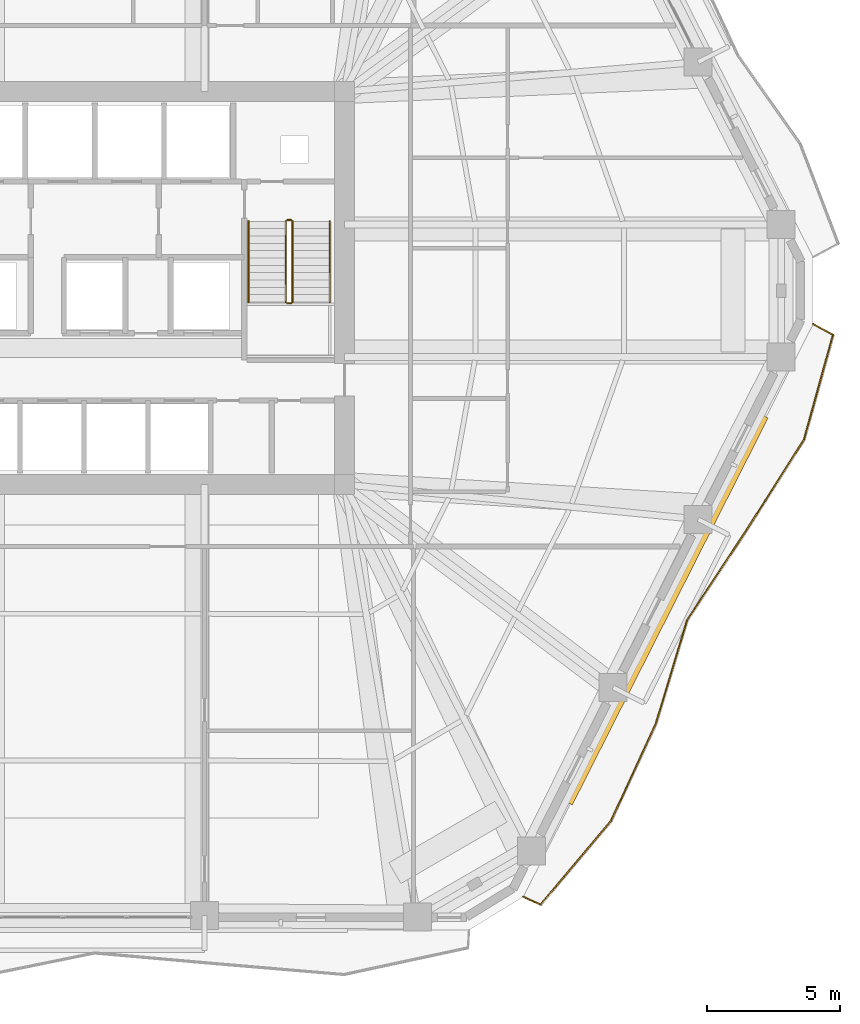
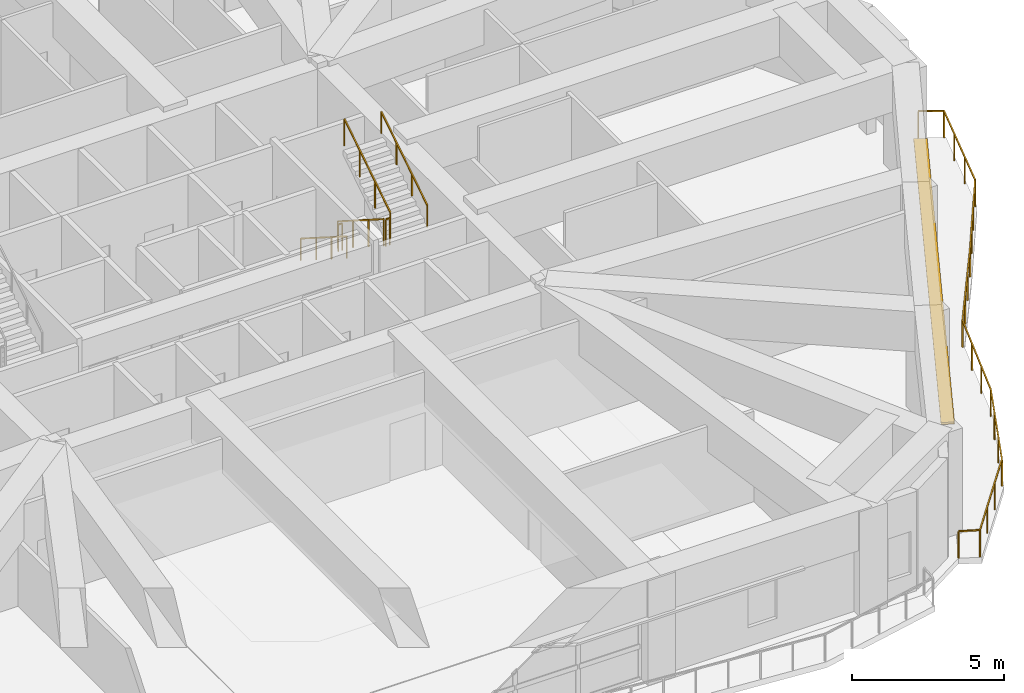
# One storey, part 22 of 23: 7 railings, 1 shading device.
"""IFC4 building model written with IfcOpenShell, lengths in metres."""

from ifc_helpers import new_model, si_unit, direction, frame, origin, origin_2d, place, context, subcontext, project, spatial, rectangle, extrude, material, layer, layer_set, type_object, element, save


model = new_model("IFC4")

# Units and contexts
model_context = context("Model", 3, precision=1e-05, world=origin(), true_north=direction((0.0, 1.0)))
body_context = subcontext(model_context, "Body", "Model", "MODEL_VIEW")
ifc_project = project(units=[si_unit("LENGTHUNIT", "METRE"), si_unit("AREAUNIT", "SQUARE_METRE"), si_unit("VOLUMEUNIT", "CUBIC_METRE"), si_unit("PLANEANGLEUNIT", "RADIAN"), si_unit("MASSUNIT", "GRAM", prefix="KILO")], contexts=[model_context])

# Site, building, storey
site_placement = place(None, origin())
site = spatial("IfcSite", under=ifc_project, at=site_placement, CompositionType="ELEMENT")
building_placement = place(site_placement, origin())
building = spatial("IfcBuilding", under=site, at=building_placement, Name="Cinnabar Lancet Tower", CompositionType="ELEMENT")
storey_placement = place(building_placement, frame((0.0, 0.0, 94.199951171875)))
storey = spatial("IfcBuildingStorey", under=building, at=storey_placement, Name="L24", CompositionType="ELEMENT", Elevation=94.199951171875)

# Railing
ifc_material_1 = material(Name="Laminated safety glass and bronze stainless steel balustrade", Category="steel")
railing_type_1 = type_object("IfcRailingType", Name="ENV-RLG-BAL-1100", PredefinedType="BALUSTRADE", material=ifc_material_1)
railing_1_placement = place(storey_placement, frame((48.488037109375, 3.049072265625, 0.0)))
element("IfcRailing", 1, at=railing_1_placement, inside=storey, type_object=railing_type_1, Name="L24 Face 2 Wave Balcony Balustrade", PredefinedType="BALUSTRADE", context=body_context, shape_type="SweptSolid", body=[
    extrude(rectangle(XDim=0.048095703125, YDim=0.048095703125, at=origin_2d()), frame((0.0, 0.0, 1.076171875), z_axis=(0.911805056645, -0.410623353789, 0.0), x_axis=(0.410623353789, 0.911805056645, 0.0)), (0.0, 0.0, 1.0), 0.706298828125),
    extrude(rectangle(XDim=0.048095703125, YDim=0.048095703125, at=origin_2d()), frame((0.64404296875, -0.2900390625, 1.076171875), z_axis=(0.644015190162, 0.765012702405, 0.0), x_axis=(-0.765012702405, 0.644015190162, 0.0)), (0.0, 0.0, 1.0), 4.1162109375),
    extrude(rectangle(XDim=0.048095703125, YDim=0.048095703125, at=origin_2d()), frame((3.294921875, 2.85888671875, 1.076171875), z_axis=(0.41893848602, 0.908014617135, 0.0), x_axis=(-0.908014617135, 0.41893848602, 0.0)), (0.0, 0.0, 1.0), 4.010009765625),
    extrude(rectangle(XDim=0.048095703125, YDim=0.048095703125, at=origin_2d()), frame((4.974853515625, 6.5, 1.076171875), z_axis=(0.288536641165, 0.95746885417, 0.0), x_axis=(-0.95746885417, 0.288536641165, 0.0)), (0.0, 0.0, 1.0), 4.069091796875),
    extrude(rectangle(XDim=0.048095703125, YDim=0.048095703125, at=origin_2d()), frame((6.14892578125, 10.39599609375, 1.076171875), z_axis=(0.551453728714, 0.834205481334, 0.0), x_axis=(-0.834205481334, 0.551453728714, 0.0)), (0.0, 0.0, 1.0), 4.031494140625),
    extrude(rectangle(XDim=0.048095703125, YDim=0.048095703125, at=origin_2d()), frame((8.3720703125, 13.759033203125, 1.076171875), z_axis=(0.536274980552, 0.844043331372, 0.0), x_axis=(-0.844043331372, 0.536274980552, 0.0)), (0.0, 0.0, 1.0), 4.02587890625),
    extrude(rectangle(XDim=0.048095703125, YDim=0.048095703125, at=origin_2d()), frame((10.531005859375, 17.156982421875, 1.076171875), z_axis=(0.267224790414, 0.963634220744, 0.0), x_axis=(-0.963634220744, 0.267224790414, 0.0)), (0.0, 0.0, 1.0), 4.086669921875),
    extrude(rectangle(XDim=0.048095703125, YDim=0.048095703125, at=origin_2d()), frame((11.623046875, 21.094970703125, 1.076171875), z_axis=(-0.877090487436, 0.480325178238, 0.0), x_axis=(-0.480325178238, -0.877090487436, 0.0)), (0.0, 0.0, 1.0), 0.847412109375),
    extrude(rectangle(XDim=0.0419921875, YDim=0.0419921875, at=origin_2d()), origin(), (0.0, 0.0, 1.0), 1.052001953125),
    extrude(rectangle(XDim=0.0419921875, YDim=0.0419921875, at=origin_2d()), frame((0.64404296875, -0.2900390625, 0.0)), (0.0, 0.0, 1.0), 1.052001953125),
    extrude(rectangle(XDim=0.0419921875, YDim=0.0419921875, at=origin_2d()), frame((1.527587890625, 0.759521484375, 0.0)), (0.0, 0.0, 1.0), 1.052001953125),
    extrude(rectangle(XDim=0.0419921875, YDim=0.0419921875, at=origin_2d()), frame((2.411376953125, 1.809326171875, 0.0)), (0.0, 0.0, 1.0), 1.052001953125),
    extrude(rectangle(XDim=0.0419921875, YDim=0.0419921875, at=origin_2d()), frame((3.294921875, 2.85888671875, 0.0)), (0.0, 0.0, 1.0), 1.052001953125),
    extrude(rectangle(XDim=0.0419921875, YDim=0.0419921875, at=origin_2d()), frame((3.85498046875, 4.072509765625, 0.0)), (0.0, 0.0, 1.0), 1.052001953125),
    extrude(rectangle(XDim=0.0419921875, YDim=0.0419921875, at=origin_2d()), frame((4.414794921875, 5.286376953125, 0.0)), (0.0, 0.0, 1.0), 1.052001953125),
    extrude(rectangle(XDim=0.0419921875, YDim=0.0419921875, at=origin_2d()), frame((4.974853515625, 6.5, 0.0)), (0.0, 0.0, 1.0), 1.052001953125),
    extrude(rectangle(XDim=0.0419921875, YDim=0.0419921875, at=origin_2d()), frame((5.3662109375, 7.798583984375, 0.0)), (0.0, 0.0, 1.0), 1.052001953125),
    extrude(rectangle(XDim=0.0419921875, YDim=0.0419921875, at=origin_2d()), frame((5.757568359375, 9.097412109375, 0.0)), (0.0, 0.0, 1.0), 1.052001953125),
    extrude(rectangle(XDim=0.0419921875, YDim=0.0419921875, at=origin_2d()), frame((6.14892578125, 10.39599609375, 0.0)), (0.0, 0.0, 1.0), 1.052001953125),
    extrude(rectangle(XDim=0.0419921875, YDim=0.0419921875, at=origin_2d()), frame((6.889892578125, 11.51708984375, 0.0)), (0.0, 0.0, 1.0), 1.052001953125),
    extrude(rectangle(XDim=0.0419921875, YDim=0.0419921875, at=origin_2d()), frame((7.631103515625, 12.637939453125, 0.0)), (0.0, 0.0, 1.0), 1.052001953125),
    extrude(rectangle(XDim=0.0419921875, YDim=0.0419921875, at=origin_2d()), frame((8.3720703125, 13.759033203125, 0.0)), (0.0, 0.0, 1.0), 1.052001953125),
    extrude(rectangle(XDim=0.0419921875, YDim=0.0419921875, at=origin_2d()), frame((9.091796875, 14.8916015625, 0.0)), (0.0, 0.0, 1.0), 1.052001953125),
    extrude(rectangle(XDim=0.0419921875, YDim=0.0419921875, at=origin_2d()), frame((9.811279296875, 16.0244140625, 0.0)), (0.0, 0.0, 1.0), 1.052001953125),
    extrude(rectangle(XDim=0.0419921875, YDim=0.0419921875, at=origin_2d()), frame((10.531005859375, 17.156982421875, 0.0)), (0.0, 0.0, 1.0), 1.052001953125),
    extrude(rectangle(XDim=0.0419921875, YDim=0.0419921875, at=origin_2d()), frame((10.89501953125, 18.4697265625, 0.0)), (0.0, 0.0, 1.0), 1.052001953125),
    extrude(rectangle(XDim=0.0419921875, YDim=0.0419921875, at=origin_2d()), frame((11.259033203125, 19.7822265625, 0.0)), (0.0, 0.0, 1.0), 1.052001953125),
    extrude(rectangle(XDim=0.0419921875, YDim=0.0419921875, at=origin_2d()), frame((11.623046875, 21.094970703125, 0.0)), (0.0, 0.0, 1.0), 1.052001953125),
    extrude(rectangle(XDim=0.0419921875, YDim=0.0419921875, at=origin_2d()), frame((10.8798828125, 21.501953125, 0.0)), (0.0, 0.0, 1.0), 1.052001953125),
])

# Shading device
ifc_material_2 = material(Name="Pale limestone architectural aluminium sunshade", Category="masonry")
ifc_layer = layer(ifc_material_2, 0.080078125)
ifc_layer_set = layer_set([ifc_layer], Name="Pale limestone architectural aluminium sunshade")
shading_device_type = type_object("IfcShadingDeviceType", Name="ENV-SHD-LVR-450", PredefinedType="JALOUSIE", material=ifc_layer_set)
shading_device_placement = place(storey_placement, frame((53.801025390625, 13.861083984375, 2.639892578125), z_axis=(0.0, 0.0, 1.0), x_axis=(0.451500573218, 0.892270829056, 0.0)))
element("IfcShadingDevice", 2, at=shading_device_placement, inside=storey, type_object=shading_device_type, Name="L24 Face 2 Horizontal Sunshade Canopy", PredefinedType="JALOUSIE", context=body_context, shape_type="SweptSolid", body=[
    extrude(rectangle(XDim=16.27587890625, YDim=0.449951171875, at=origin_2d()), origin(), (0.0, 0.0, 1.0), 0.080078125),
])

# Railings
ifc_material_3 = material(Name="Painted galvanized steel balustrade", Category="steel")
railing_type_2 = type_object("IfcRailingType", Name="GUARD-STAIR", PredefinedType="GUARDRAIL", material=ifc_material_3)
railing_2_placement = place(storey_placement, frame((39.574951171875, 28.39990234375, 0.175048828125)))
element("IfcRailing", 3, at=railing_2_placement, inside=storey, type_object=railing_type_2, Name="L24 ST-2 stair guard 1", PredefinedType="GUARDRAIL", context=body_context, shape_type="SweptSolid", body=[
    extrude(rectangle(XDim=0.048095703125, YDim=0.048095703125, at=origin_2d()), frame((0.0, 0.0, 1.076171875), z_axis=(0.0, -0.84364746871, 0.536897521451), x_axis=(1.0, 0.0, 0.0)), (0.0, 0.0, 1.0), 3.58544921875),
    extrude(rectangle(XDim=0.0419921875, YDim=0.0419921875, at=origin_2d()), origin(), (0.0, 0.0, 1.0), 1.052001953125),
    extrude(rectangle(XDim=0.0419921875, YDim=0.0419921875, at=origin_2d()), frame((0.0, -1.00830078125, 0.6416015625)), (0.0, 0.0, 1.0), 1.052001953125),
    extrude(rectangle(XDim=0.0419921875, YDim=0.0419921875, at=origin_2d()), frame((0.0, -2.0166015625, 1.283447265625)), (0.0, 0.0, 1.0), 1.052001953125),
    extrude(rectangle(XDim=0.0419921875, YDim=0.0419921875, at=origin_2d()), frame((0.0, -3.02490234375, 1.925048828125)), (0.0, 0.0, 1.0), 1.052001953125),
])
railing_3_placement = place(storey_placement, frame((39.625, 25.324951171875, 2.10009765625)))
element("IfcRailing", 4, at=railing_3_placement, inside=storey, type_object=railing_type_2, Name="L24 ST-2 stair guard 2", PredefinedType="GUARDRAIL", context=body_context, shape_type="SweptSolid", body=[
    extrude(rectangle(XDim=0.048095703125, YDim=0.048095703125, at=origin_2d()), frame((0.0, 0.0, 1.076171875), z_axis=(1.0, 0.0, 0.0), x_axis=(0.0, 1.0, 0.0)), (0.0, 0.0, 1.0), 0.14990234375),
    extrude(rectangle(XDim=0.0419921875, YDim=0.0419921875, at=origin_2d()), origin(), (0.0, 0.0, 1.0), 1.052001953125),
    extrude(rectangle(XDim=0.0419921875, YDim=0.0419921875, at=origin_2d()), frame((0.14990234375, 0.0, 0.0)), (0.0, 0.0, 1.0), 1.052001953125),
])
railing_4_placement = place(storey_placement, frame((39.824951171875, 25.375, 2.275146484375)))
element("IfcRailing", 5, at=railing_4_placement, inside=storey, type_object=railing_type_2, Name="L24 ST-2 stair guard 3", PredefinedType="GUARDRAIL", context=body_context, shape_type="SweptSolid", body=[
    extrude(rectangle(XDim=0.048095703125, YDim=0.048095703125, at=origin_2d()), frame((0.0, 0.0, 1.076171875), z_axis=(0.0, 0.843678310415, 0.536849055634), x_axis=(-1.0, 0.0, 0.0)), (0.0, 0.0, 1.0), 3.58544921875),
    extrude(rectangle(XDim=0.0419921875, YDim=0.0419921875, at=origin_2d()), origin(), (0.0, 0.0, 1.0), 1.052001953125),
    extrude(rectangle(XDim=0.0419921875, YDim=0.0419921875, at=origin_2d()), frame((0.0, 1.00830078125, 0.6416015625)), (0.0, 0.0, 1.0), 1.052001953125),
    extrude(rectangle(XDim=0.0419921875, YDim=0.0419921875, at=origin_2d()), frame((0.0, 2.0166015625, 1.283203125)), (0.0, 0.0, 1.0), 1.052001953125),
    extrude(rectangle(XDim=0.0419921875, YDim=0.0419921875, at=origin_2d()), frame((0.0, 3.02490234375, 1.9248046875)), (0.0, 0.0, 1.0), 1.052001953125),
])
railing_5_placement = place(storey_placement, frame((39.625, 28.449951171875, 0.0)))
element("IfcRailing", 6, at=railing_5_placement, inside=storey, type_object=railing_type_2, Name="L24 ST-2 stair guard 4", PredefinedType="GUARDRAIL", context=body_context, shape_type="SweptSolid", body=[
    extrude(rectangle(XDim=0.048095703125, YDim=0.048095703125, at=origin_2d()), frame((0.0, 0.0, 1.076171875), z_axis=(1.0, 0.0, 0.0), x_axis=(0.0, 1.0, 0.0)), (0.0, 0.0, 1.0), 0.14990234375),
    extrude(rectangle(XDim=0.0419921875, YDim=0.0419921875, at=origin_2d()), origin(), (0.0, 0.0, 1.0), 1.052001953125),
    extrude(rectangle(XDim=0.0419921875, YDim=0.0419921875, at=origin_2d()), frame((0.14990234375, 0.0, 0.0)), (0.0, 0.0, 1.0), 1.052001953125),
])
ifc_material_4 = material(Name="Brushed stainless steel handrail", Category="steel")
railing_type_3 = type_object("IfcRailingType", Name="HANDRAIL-STAIR", PredefinedType="HANDRAIL", material=ifc_material_4)
railing_6_placement = place(storey_placement, frame((38.175048828125, 28.39990234375, 0.175048828125)))
element("IfcRailing", 7, at=railing_6_placement, inside=storey, type_object=railing_type_3, Name="L24 ST-2 stair handrail 1", PredefinedType="HANDRAIL", context=body_context, shape_type="SweptSolid", body=[
    extrude(rectangle(XDim=0.048095703125, YDim=0.048095703125, at=origin_2d()), frame((0.0, 0.0, 0.8759765625), z_axis=(0.0, -0.84364746871, 0.536897521451), x_axis=(1.0, 0.0, 0.0)), (0.0, 0.0, 1.0), 3.58544921875),
    extrude(rectangle(XDim=0.0419921875, YDim=0.0419921875, at=origin_2d()), origin(), (0.0, 0.0, 1.0), 0.851806640625),
    extrude(rectangle(XDim=0.0419921875, YDim=0.0419921875, at=origin_2d()), frame((0.0, -1.00830078125, 0.6416015625)), (0.0, 0.0, 1.0), 0.851806640625),
    extrude(rectangle(XDim=0.0419921875, YDim=0.0419921875, at=origin_2d()), frame((0.0, -2.0166015625, 1.283447265625)), (0.0, 0.0, 1.0), 0.851806640625),
    extrude(rectangle(XDim=0.0419921875, YDim=0.0419921875, at=origin_2d()), frame((0.0, -3.02490234375, 1.925048828125)), (0.0, 0.0, 1.0), 0.851806640625),
])
railing_7_placement = place(storey_placement, frame((41.22509765625, 25.375, 2.275146484375)))
element("IfcRailing", 8, at=railing_7_placement, inside=storey, type_object=railing_type_3, Name="L24 ST-2 stair handrail 2", PredefinedType="HANDRAIL", context=body_context, shape_type="SweptSolid", body=[
    extrude(rectangle(XDim=0.048095703125, YDim=0.048095703125, at=origin_2d()), frame((0.0, 0.0, 0.8759765625), z_axis=(0.0, 0.843678310415, 0.536849055634), x_axis=(-1.0, 0.0, 0.0)), (0.0, 0.0, 1.0), 3.58544921875),
    extrude(rectangle(XDim=0.0419921875, YDim=0.0419921875, at=origin_2d()), origin(), (0.0, 0.0, 1.0), 0.851806640625),
    extrude(rectangle(XDim=0.0419921875, YDim=0.0419921875, at=origin_2d()), frame((0.0, 1.00830078125, 0.6416015625)), (0.0, 0.0, 1.0), 0.851806640625),
    extrude(rectangle(XDim=0.0419921875, YDim=0.0419921875, at=origin_2d()), frame((0.0, 2.0166015625, 1.283203125)), (0.0, 0.0, 1.0), 0.851806640625),
    extrude(rectangle(XDim=0.0419921875, YDim=0.0419921875, at=origin_2d()), frame((0.0, 3.02490234375, 1.9248046875)), (0.0, 0.0, 1.0), 0.851806640625),
])

save(model, "model.ifc")
